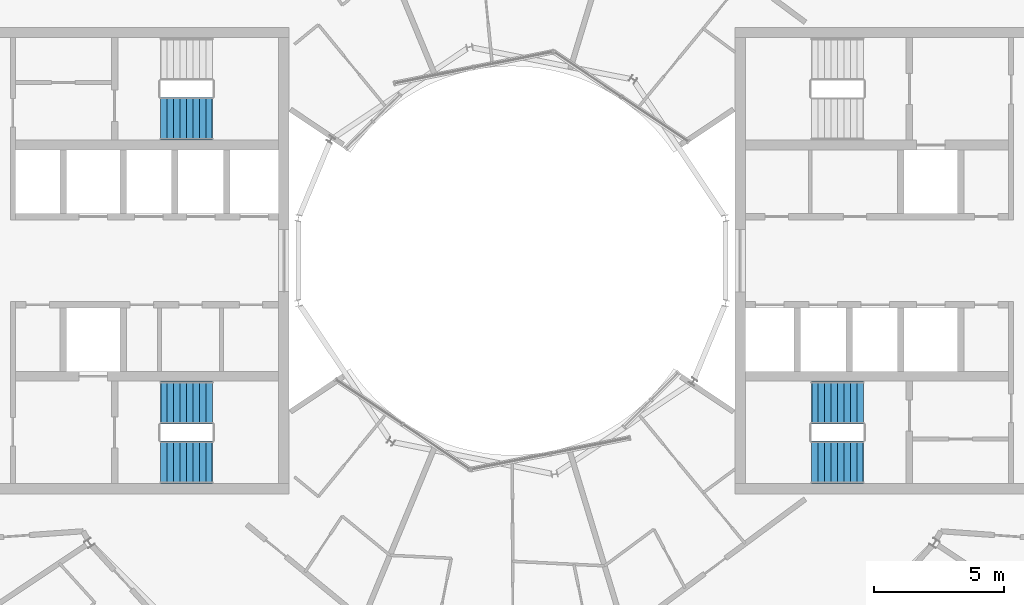
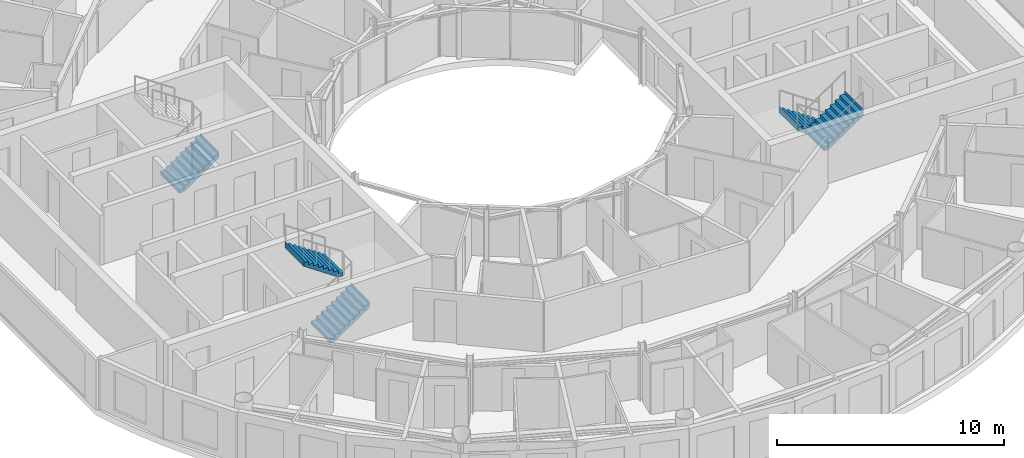
# One storey, part 20 of 22: 5 stair flights, 3 elements without a shape of their own.
"""IFC4 building model written with IfcOpenShell, lengths in metres."""

from ifc_helpers import new_model, si_unit, direction, frame, origin, place, context, subcontext, project, spatial, triangles, material, type_object, element, aggregate, save


model = new_model("IFC4")

# Units and contexts
model_context = context("Model", 3, precision=1e-05, world=origin(), true_north=direction((0.0, 1.0)))
body_context = subcontext(model_context, "Body", "Model", "MODEL_VIEW")
ifc_project = project(units=[si_unit("LENGTHUNIT", "METRE"), si_unit("AREAUNIT", "SQUARE_METRE"), si_unit("VOLUMEUNIT", "CUBIC_METRE"), si_unit("PLANEANGLEUNIT", "RADIAN"), si_unit("MASSUNIT", "GRAM", prefix="KILO")], contexts=[model_context])

# Site, building, storey
site_placement = place(None, origin())
site = spatial("IfcSite", under=ifc_project, at=site_placement, CompositionType="ELEMENT")
building_placement = place(site_placement, origin())
building = spatial("IfcBuilding", under=site, at=building_placement, Name="Maasbend Ring Residences", CompositionType="ELEMENT")
storey_placement = place(building_placement, frame((0.0, 0.0, 237.10009765625)))
storey = spatial("IfcBuildingStorey", under=building, at=storey_placement, Name="L68", CompositionType="ELEMENT", Elevation=237.10009765625)

# Stair, stair flights
ifc_material_1 = material(Name="Concrete C40/50", Category="concrete")
stair_type = type_object("IfcStairType", Name="CORE STAIR 18 RISERS", PredefinedType="HALF_TURN_STAIR", material=ifc_material_1)
stair_1_placement = place(storey_placement, origin())
stair_1 = element("IfcStair", 1, at=stair_1_placement, inside=storey, type_object=stair_type, Name="L68 Exit stair ST-E2", PredefinedType="HALF_TURN_STAIR")
ifc_material_2 = material(Name="Concrete C40/50", Category="concrete")
stair_flight_type = type_object("IfcStairFlightType", Name="CORE STAIR FLIGHT 1650", PredefinedType="STRAIGHT", material=ifc_material_2)
stair_flight_1_placement = place(storey_placement, frame((13.550048828125, -5.47509765625, 0.0), z_axis=(0.0, 0.0, 1.0), x_axis=(-1.0, 0.0, 0.0)))
stair_flight_1 = element("IfcStairFlight", 2, at=stair_flight_1_placement, type_object=stair_flight_type, Name="ST-E2 flight 1", NumberOfRisers=9, NumberOfTreads=8, PredefinedType="STRAIGHT", RiserHeight=0.169444444, TreadLength=0.25, context=body_context, shape_type="Tessellation", body=[
    triangles([(0.24072265625, 0.824951171875, -0.02001953125), (2.0029296875, 0.824951171875, 1.174560546875), (2.0029296875, 0.824951171875, 1.52490234375), (1.989990234375, 0.824951171875, 1.35546875), (1.75, 0.824951171875, 1.35546875), (1.75, 0.824951171875, 1.18603515625), (1.5, 0.824951171875, 1.18603515625), (1.5, 0.824951171875, 1.0166015625), (1.25, 0.824951171875, 1.0166015625), (1.25, 0.824951171875, 0.84716796875), (1.0, 0.824951171875, 0.84716796875), (1.0, 0.824951171875, 0.677734375), (0.75, 0.824951171875, 0.677734375), (0.75, 0.824951171875, 0.50830078125), (0.5, 0.824951171875, 0.50830078125), (0.5, 0.824951171875, 0.3388671875), (0.25, 0.824951171875, 0.3388671875), (0.25, 0.824951171875, 0.16943359375), (0.0, 0.824951171875, 0.16943359375), (0.0, 0.824951171875, 0.0), (-0.0029296875, 0.824951171875, 0.0), (-0.0029296875, 0.824951171875, -0.02001953125), (0.24072265625, 0.27490234375, -0.02001953125), (2.0029296875, 0.27490234375, 1.174560546875), (2.0029296875, 0.27490234375, 1.52490234375), (1.989990234375, 0.27490234375, 1.35546875), (1.75, 0.27490234375, 1.35546875), (1.75, 0.27490234375, 1.18603515625), (1.5, 0.27490234375, 1.18603515625), (1.5, 0.27490234375, 1.0166015625), (1.25, 0.27490234375, 1.0166015625), (1.25, 0.27490234375, 0.84716796875), (1.0, 0.27490234375, 0.84716796875), (1.0, 0.27490234375, 0.677734375), (0.75, 0.27490234375, 0.677734375), (0.75, 0.27490234375, 0.50830078125), (0.5, 0.27490234375, 0.50830078125), (0.5, 0.27490234375, 0.3388671875), (0.25, 0.27490234375, 0.3388671875), (0.25, 0.27490234375, 0.16943359375), (0.0, 0.27490234375, 0.16943359375), (0.0, 0.27490234375, 0.0), (-0.0029296875, 0.27490234375, 0.0), (-0.0029296875, 0.27490234375, -0.02001953125), (0.24072265625, -0.27490234375, -0.02001953125), (2.0029296875, -0.27490234375, 1.174560546875), (2.0029296875, -0.27490234375, 1.52490234375), (1.989990234375, -0.27490234375, 1.35546875), (1.75, -0.27490234375, 1.35546875), (1.75, -0.27490234375, 1.18603515625), (1.5, -0.27490234375, 1.18603515625), (1.5, -0.27490234375, 1.0166015625), (1.25, -0.27490234375, 1.0166015625), (1.25, -0.27490234375, 0.84716796875), (1.0, -0.27490234375, 0.84716796875), (1.0, -0.27490234375, 0.677734375), (0.75, -0.27490234375, 0.677734375), (0.75, -0.27490234375, 0.50830078125), (0.5, -0.27490234375, 0.50830078125), (0.5, -0.27490234375, 0.3388671875), (0.25, -0.27490234375, 0.3388671875), (0.25, -0.27490234375, 0.16943359375), (0.0, -0.27490234375, 0.16943359375), (0.0, -0.27490234375, 0.0), (-0.0029296875, -0.27490234375, 0.0), (-0.0029296875, -0.27490234375, -0.02001953125), (0.24072265625, -0.824951171875, -0.02001953125), (2.0029296875, -0.824951171875, 1.174560546875), (2.0029296875, -0.824951171875, 1.52490234375), (1.989990234375, -0.824951171875, 1.35546875), (1.75, -0.824951171875, 1.35546875), (1.75, -0.824951171875, 1.18603515625), (1.5, -0.824951171875, 1.18603515625), (1.5, -0.824951171875, 1.0166015625), (1.25, -0.824951171875, 1.0166015625), (1.25, -0.824951171875, 0.84716796875), (1.0, -0.824951171875, 0.84716796875), (1.0, -0.824951171875, 0.677734375), (0.75, -0.824951171875, 0.677734375), (0.75, -0.824951171875, 0.50830078125), (0.5, -0.824951171875, 0.50830078125), (0.5, -0.824951171875, 0.3388671875), (0.25, -0.824951171875, 0.3388671875), (0.25, -0.824951171875, 0.16943359375), (0.0, -0.824951171875, 0.16943359375), (0.0, -0.824951171875, 0.0), (-0.0029296875, -0.824951171875, 0.0), (-0.0029296875, -0.824951171875, -0.02001953125)], [[1, 2, 24], [1, 24, 23], [23, 24, 46], [23, 46, 45], [45, 46, 68], [45, 68, 67], [2, 3, 25], [2, 25, 24], [24, 25, 47], [24, 47, 46], [46, 47, 69], [46, 69, 68], [3, 4, 26], [3, 26, 25], [25, 26, 48], [25, 48, 47], [47, 48, 70], [47, 70, 69], [4, 5, 27], [4, 27, 26], [26, 27, 49], [26, 49, 48], [48, 49, 71], [48, 71, 70], [5, 6, 28], [5, 28, 27], [27, 28, 50], [27, 50, 49], [49, 50, 72], [49, 72, 71], [6, 7, 29], [6, 29, 28], [28, 29, 51], [28, 51, 50], [50, 51, 73], [50, 73, 72], [7, 8, 30], [7, 30, 29], [29, 30, 52], [29, 52, 51], [51, 52, 74], [51, 74, 73], [8, 9, 31], [8, 31, 30], [30, 31, 53], [30, 53, 52], [52, 53, 75], [52, 75, 74], [9, 10, 32], [9, 32, 31], [31, 32, 54], [31, 54, 53], [53, 54, 76], [53, 76, 75], [10, 11, 33], [10, 33, 32], [32, 33, 55], [32, 55, 54], [54, 55, 77], [54, 77, 76], [11, 12, 34], [11, 34, 33], [33, 34, 56], [33, 56, 55], [55, 56, 78], [55, 78, 77], [12, 13, 35], [12, 35, 34], [34, 35, 57], [34, 57, 56], [56, 57, 79], [56, 79, 78], [13, 14, 36], [13, 36, 35], [35, 36, 58], [35, 58, 57], [57, 58, 80], [57, 80, 79], [14, 15, 37], [14, 37, 36], [36, 37, 59], [36, 59, 58], [58, 59, 81], [58, 81, 80], [15, 16, 38], [15, 38, 37], [37, 38, 60], [37, 60, 59], [59, 60, 82], [59, 82, 81], [16, 17, 39], [16, 39, 38], [38, 39, 61], [38, 61, 60], [60, 61, 83], [60, 83, 82], [17, 18, 40], [17, 40, 39], [39, 40, 62], [39, 62, 61], [61, 62, 84], [61, 84, 83], [18, 19, 41], [18, 41, 40], [40, 41, 63], [40, 63, 62], [62, 63, 85], [62, 85, 84], [19, 20, 42], [19, 42, 41], [41, 42, 64], [41, 64, 63], [63, 64, 86], [63, 86, 85], [20, 21, 43], [20, 43, 42], [42, 43, 65], [42, 65, 64], [64, 65, 87], [64, 87, 86], [21, 22, 44], [21, 44, 43], [43, 44, 66], [43, 66, 65], [65, 66, 88], [65, 88, 87], [22, 1, 23], [22, 23, 44], [44, 23, 45], [44, 45, 66], [66, 45, 67], [66, 67, 88], [22, 2, 1], [2, 4, 3], [2, 5, 4], [2, 6, 5], [22, 6, 2], [6, 8, 7], [22, 8, 6], [8, 10, 9], [22, 10, 8], [10, 12, 11], [22, 12, 10], [12, 14, 13], [22, 14, 12], [14, 16, 15], [22, 16, 14], [16, 18, 17], [22, 18, 16], [18, 20, 19], [22, 20, 18], [20, 22, 21], [88, 67, 68], [68, 69, 70], [68, 70, 71], [68, 71, 72], [88, 68, 72], [72, 73, 74], [88, 72, 74], [74, 75, 76], [88, 74, 76], [76, 77, 78], [88, 76, 78], [78, 79, 80], [88, 78, 80], [80, 81, 82], [88, 80, 82], [82, 83, 84], [88, 82, 84], [84, 85, 86], [88, 84, 86], [86, 87, 88]], closed=True),
])
stair_flight_2_placement = place(storey_placement, frame((11.550048828125, -7.77490234375, 1.52490234375), z_axis=(0.0, 0.0, 1.0), x_axis=(1.0, 0.0, 0.0)))
stair_flight_2 = element("IfcStairFlight", 3, at=stair_flight_2_placement, type_object=stair_flight_type, Name="ST-E2 flight 2", NumberOfRisers=9, NumberOfTreads=8, PredefinedType="STRAIGHT", RiserHeight=0.169444444, TreadLength=0.25, context=body_context, shape_type="Tessellation", body=[
    triangles([(0.24072265625, 0.824951171875, -0.02001953125), (2.0029296875, 0.824951171875, 1.174560546875), (2.0029296875, 0.824951171875, 1.52490234375), (1.989990234375, 0.824951171875, 1.35546875), (1.75, 0.824951171875, 1.35546875), (1.75, 0.824951171875, 1.18603515625), (1.5, 0.824951171875, 1.18603515625), (1.5, 0.824951171875, 1.0166015625), (1.25, 0.824951171875, 1.0166015625), (1.25, 0.824951171875, 0.84716796875), (1.0, 0.824951171875, 0.84716796875), (1.0, 0.824951171875, 0.677734375), (0.75, 0.824951171875, 0.677734375), (0.75, 0.824951171875, 0.50830078125), (0.5, 0.824951171875, 0.50830078125), (0.5, 0.824951171875, 0.3388671875), (0.25, 0.824951171875, 0.3388671875), (0.25, 0.824951171875, 0.16943359375), (0.0, 0.824951171875, 0.16943359375), (0.0, 0.824951171875, 0.0), (-0.0029296875, 0.824951171875, 0.0), (-0.0029296875, 0.824951171875, -0.02001953125), (0.24072265625, 0.27490234375, -0.02001953125), (2.0029296875, 0.27490234375, 1.174560546875), (2.0029296875, 0.27490234375, 1.52490234375), (1.989990234375, 0.27490234375, 1.35546875), (1.75, 0.27490234375, 1.35546875), (1.75, 0.27490234375, 1.18603515625), (1.5, 0.27490234375, 1.18603515625), (1.5, 0.27490234375, 1.0166015625), (1.25, 0.27490234375, 1.0166015625), (1.25, 0.27490234375, 0.84716796875), (1.0, 0.27490234375, 0.84716796875), (1.0, 0.27490234375, 0.677734375), (0.75, 0.27490234375, 0.677734375), (0.75, 0.27490234375, 0.50830078125), (0.5, 0.27490234375, 0.50830078125), (0.5, 0.27490234375, 0.3388671875), (0.25, 0.27490234375, 0.3388671875), (0.25, 0.27490234375, 0.16943359375), (0.0, 0.27490234375, 0.16943359375), (0.0, 0.27490234375, 0.0), (-0.0029296875, 0.27490234375, 0.0), (-0.0029296875, 0.27490234375, -0.02001953125), (0.24072265625, -0.27490234375, -0.02001953125), (2.0029296875, -0.27490234375, 1.174560546875), (2.0029296875, -0.27490234375, 1.52490234375), (1.989990234375, -0.27490234375, 1.35546875), (1.75, -0.27490234375, 1.35546875), (1.75, -0.27490234375, 1.18603515625), (1.5, -0.27490234375, 1.18603515625), (1.5, -0.27490234375, 1.0166015625), (1.25, -0.27490234375, 1.0166015625), (1.25, -0.27490234375, 0.84716796875), (1.0, -0.27490234375, 0.84716796875), (1.0, -0.27490234375, 0.677734375), (0.75, -0.27490234375, 0.677734375), (0.75, -0.27490234375, 0.50830078125), (0.5, -0.27490234375, 0.50830078125), (0.5, -0.27490234375, 0.3388671875), (0.25, -0.27490234375, 0.3388671875), (0.25, -0.27490234375, 0.16943359375), (0.0, -0.27490234375, 0.16943359375), (0.0, -0.27490234375, 0.0), (-0.0029296875, -0.27490234375, 0.0), (-0.0029296875, -0.27490234375, -0.02001953125), (0.24072265625, -0.824951171875, -0.02001953125), (2.0029296875, -0.824951171875, 1.174560546875), (2.0029296875, -0.824951171875, 1.52490234375), (1.989990234375, -0.824951171875, 1.35546875), (1.75, -0.824951171875, 1.35546875), (1.75, -0.824951171875, 1.18603515625), (1.5, -0.824951171875, 1.18603515625), (1.5, -0.824951171875, 1.0166015625), (1.25, -0.824951171875, 1.0166015625), (1.25, -0.824951171875, 0.84716796875), (1.0, -0.824951171875, 0.84716796875), (1.0, -0.824951171875, 0.677734375), (0.75, -0.824951171875, 0.677734375), (0.75, -0.824951171875, 0.50830078125), (0.5, -0.824951171875, 0.50830078125), (0.5, -0.824951171875, 0.3388671875), (0.25, -0.824951171875, 0.3388671875), (0.25, -0.824951171875, 0.16943359375), (0.0, -0.824951171875, 0.16943359375), (0.0, -0.824951171875, 0.0), (-0.0029296875, -0.824951171875, 0.0), (-0.0029296875, -0.824951171875, -0.02001953125)], [[1, 2, 24], [1, 24, 23], [23, 24, 46], [23, 46, 45], [45, 46, 68], [45, 68, 67], [2, 3, 25], [2, 25, 24], [24, 25, 47], [24, 47, 46], [46, 47, 69], [46, 69, 68], [3, 4, 26], [3, 26, 25], [25, 26, 48], [25, 48, 47], [47, 48, 70], [47, 70, 69], [4, 5, 27], [4, 27, 26], [26, 27, 49], [26, 49, 48], [48, 49, 71], [48, 71, 70], [5, 6, 28], [5, 28, 27], [27, 28, 50], [27, 50, 49], [49, 50, 72], [49, 72, 71], [6, 7, 29], [6, 29, 28], [28, 29, 51], [28, 51, 50], [50, 51, 73], [50, 73, 72], [7, 8, 30], [7, 30, 29], [29, 30, 52], [29, 52, 51], [51, 52, 74], [51, 74, 73], [8, 9, 31], [8, 31, 30], [30, 31, 53], [30, 53, 52], [52, 53, 75], [52, 75, 74], [9, 10, 32], [9, 32, 31], [31, 32, 54], [31, 54, 53], [53, 54, 76], [53, 76, 75], [10, 11, 33], [10, 33, 32], [32, 33, 55], [32, 55, 54], [54, 55, 77], [54, 77, 76], [11, 12, 34], [11, 34, 33], [33, 34, 56], [33, 56, 55], [55, 56, 78], [55, 78, 77], [12, 13, 35], [12, 35, 34], [34, 35, 57], [34, 57, 56], [56, 57, 79], [56, 79, 78], [13, 14, 36], [13, 36, 35], [35, 36, 58], [35, 58, 57], [57, 58, 80], [57, 80, 79], [14, 15, 37], [14, 37, 36], [36, 37, 59], [36, 59, 58], [58, 59, 81], [58, 81, 80], [15, 16, 38], [15, 38, 37], [37, 38, 60], [37, 60, 59], [59, 60, 82], [59, 82, 81], [16, 17, 39], [16, 39, 38], [38, 39, 61], [38, 61, 60], [60, 61, 83], [60, 83, 82], [17, 18, 40], [17, 40, 39], [39, 40, 62], [39, 62, 61], [61, 62, 84], [61, 84, 83], [18, 19, 41], [18, 41, 40], [40, 41, 63], [40, 63, 62], [62, 63, 85], [62, 85, 84], [19, 20, 42], [19, 42, 41], [41, 42, 64], [41, 64, 63], [63, 64, 86], [63, 86, 85], [20, 21, 43], [20, 43, 42], [42, 43, 65], [42, 65, 64], [64, 65, 87], [64, 87, 86], [21, 22, 44], [21, 44, 43], [43, 44, 66], [43, 66, 65], [65, 66, 88], [65, 88, 87], [22, 1, 23], [22, 23, 44], [44, 23, 45], [44, 45, 66], [66, 45, 67], [66, 67, 88], [22, 2, 1], [2, 4, 3], [2, 5, 4], [2, 6, 5], [22, 6, 2], [6, 8, 7], [22, 8, 6], [8, 10, 9], [22, 10, 8], [10, 12, 11], [22, 12, 10], [12, 14, 13], [22, 14, 12], [14, 16, 15], [22, 16, 14], [16, 18, 17], [22, 18, 16], [18, 20, 19], [22, 20, 18], [20, 22, 21], [88, 67, 68], [68, 69, 70], [68, 70, 71], [68, 71, 72], [88, 68, 72], [72, 73, 74], [88, 72, 74], [74, 75, 76], [88, 74, 76], [76, 77, 78], [88, 76, 78], [78, 79, 80], [88, 78, 80], [80, 81, 82], [88, 80, 82], [82, 83, 84], [88, 82, 84], [84, 85, 86], [88, 84, 86], [86, 87, 88]], closed=True),
])
aggregate(stair_1, [stair_flight_1, stair_flight_2])

stair_2_placement = place(storey_placement, origin())
stair_2 = element("IfcStair", 4, at=stair_2_placement, inside=storey, type_object=stair_type, Name="L68 Exit stair ST-W1", PredefinedType="HALF_TURN_STAIR")
stair_flight_3_placement = place(storey_placement, frame((-13.550048828125, -7.77490234375, 0.0), z_axis=(0.0, 0.0, 1.0), x_axis=(1.0, 0.0, 0.0)))
stair_flight_3 = element("IfcStairFlight", 5, at=stair_flight_3_placement, type_object=stair_flight_type, Name="ST-W1 flight 1", NumberOfRisers=9, NumberOfTreads=8, PredefinedType="STRAIGHT", RiserHeight=0.169444444, TreadLength=0.25, context=body_context, shape_type="Tessellation", body=[
    triangles([(0.24072265625, 0.824951171875, -0.02001953125), (2.0029296875, 0.824951171875, 1.174560546875), (2.0029296875, 0.824951171875, 1.52490234375), (1.989990234375, 0.824951171875, 1.35546875), (1.75, 0.824951171875, 1.35546875), (1.75, 0.824951171875, 1.18603515625), (1.5, 0.824951171875, 1.18603515625), (1.5, 0.824951171875, 1.0166015625), (1.25, 0.824951171875, 1.0166015625), (1.25, 0.824951171875, 0.84716796875), (1.0, 0.824951171875, 0.84716796875), (1.0, 0.824951171875, 0.677734375), (0.75, 0.824951171875, 0.677734375), (0.75, 0.824951171875, 0.50830078125), (0.5, 0.824951171875, 0.50830078125), (0.5, 0.824951171875, 0.3388671875), (0.25, 0.824951171875, 0.3388671875), (0.25, 0.824951171875, 0.16943359375), (0.0, 0.824951171875, 0.16943359375), (0.0, 0.824951171875, 0.0), (-0.0029296875, 0.824951171875, 0.0), (-0.0029296875, 0.824951171875, -0.02001953125), (0.24072265625, 0.27490234375, -0.02001953125), (2.0029296875, 0.27490234375, 1.174560546875), (2.0029296875, 0.27490234375, 1.52490234375), (1.989990234375, 0.27490234375, 1.35546875), (1.75, 0.27490234375, 1.35546875), (1.75, 0.27490234375, 1.18603515625), (1.5, 0.27490234375, 1.18603515625), (1.5, 0.27490234375, 1.0166015625), (1.25, 0.27490234375, 1.0166015625), (1.25, 0.27490234375, 0.84716796875), (1.0, 0.27490234375, 0.84716796875), (1.0, 0.27490234375, 0.677734375), (0.75, 0.27490234375, 0.677734375), (0.75, 0.27490234375, 0.50830078125), (0.5, 0.27490234375, 0.50830078125), (0.5, 0.27490234375, 0.3388671875), (0.25, 0.27490234375, 0.3388671875), (0.25, 0.27490234375, 0.16943359375), (0.0, 0.27490234375, 0.16943359375), (0.0, 0.27490234375, 0.0), (-0.0029296875, 0.27490234375, 0.0), (-0.0029296875, 0.27490234375, -0.02001953125), (0.24072265625, -0.27490234375, -0.02001953125), (2.0029296875, -0.27490234375, 1.174560546875), (2.0029296875, -0.27490234375, 1.52490234375), (1.989990234375, -0.27490234375, 1.35546875), (1.75, -0.27490234375, 1.35546875), (1.75, -0.27490234375, 1.18603515625), (1.5, -0.27490234375, 1.18603515625), (1.5, -0.27490234375, 1.0166015625), (1.25, -0.27490234375, 1.0166015625), (1.25, -0.27490234375, 0.84716796875), (1.0, -0.27490234375, 0.84716796875), (1.0, -0.27490234375, 0.677734375), (0.75, -0.27490234375, 0.677734375), (0.75, -0.27490234375, 0.50830078125), (0.5, -0.27490234375, 0.50830078125), (0.5, -0.27490234375, 0.3388671875), (0.25, -0.27490234375, 0.3388671875), (0.25, -0.27490234375, 0.16943359375), (0.0, -0.27490234375, 0.16943359375), (0.0, -0.27490234375, 0.0), (-0.0029296875, -0.27490234375, 0.0), (-0.0029296875, -0.27490234375, -0.02001953125), (0.24072265625, -0.824951171875, -0.02001953125), (2.0029296875, -0.824951171875, 1.174560546875), (2.0029296875, -0.824951171875, 1.52490234375), (1.989990234375, -0.824951171875, 1.35546875), (1.75, -0.824951171875, 1.35546875), (1.75, -0.824951171875, 1.18603515625), (1.5, -0.824951171875, 1.18603515625), (1.5, -0.824951171875, 1.0166015625), (1.25, -0.824951171875, 1.0166015625), (1.25, -0.824951171875, 0.84716796875), (1.0, -0.824951171875, 0.84716796875), (1.0, -0.824951171875, 0.677734375), (0.75, -0.824951171875, 0.677734375), (0.75, -0.824951171875, 0.50830078125), (0.5, -0.824951171875, 0.50830078125), (0.5, -0.824951171875, 0.3388671875), (0.25, -0.824951171875, 0.3388671875), (0.25, -0.824951171875, 0.16943359375), (0.0, -0.824951171875, 0.16943359375), (0.0, -0.824951171875, 0.0), (-0.0029296875, -0.824951171875, 0.0), (-0.0029296875, -0.824951171875, -0.02001953125)], [[1, 2, 24], [1, 24, 23], [23, 24, 46], [23, 46, 45], [45, 46, 68], [45, 68, 67], [2, 3, 25], [2, 25, 24], [24, 25, 47], [24, 47, 46], [46, 47, 69], [46, 69, 68], [3, 4, 26], [3, 26, 25], [25, 26, 48], [25, 48, 47], [47, 48, 70], [47, 70, 69], [4, 5, 27], [4, 27, 26], [26, 27, 49], [26, 49, 48], [48, 49, 71], [48, 71, 70], [5, 6, 28], [5, 28, 27], [27, 28, 50], [27, 50, 49], [49, 50, 72], [49, 72, 71], [6, 7, 29], [6, 29, 28], [28, 29, 51], [28, 51, 50], [50, 51, 73], [50, 73, 72], [7, 8, 30], [7, 30, 29], [29, 30, 52], [29, 52, 51], [51, 52, 74], [51, 74, 73], [8, 9, 31], [8, 31, 30], [30, 31, 53], [30, 53, 52], [52, 53, 75], [52, 75, 74], [9, 10, 32], [9, 32, 31], [31, 32, 54], [31, 54, 53], [53, 54, 76], [53, 76, 75], [10, 11, 33], [10, 33, 32], [32, 33, 55], [32, 55, 54], [54, 55, 77], [54, 77, 76], [11, 12, 34], [11, 34, 33], [33, 34, 56], [33, 56, 55], [55, 56, 78], [55, 78, 77], [12, 13, 35], [12, 35, 34], [34, 35, 57], [34, 57, 56], [56, 57, 79], [56, 79, 78], [13, 14, 36], [13, 36, 35], [35, 36, 58], [35, 58, 57], [57, 58, 80], [57, 80, 79], [14, 15, 37], [14, 37, 36], [36, 37, 59], [36, 59, 58], [58, 59, 81], [58, 81, 80], [15, 16, 38], [15, 38, 37], [37, 38, 60], [37, 60, 59], [59, 60, 82], [59, 82, 81], [16, 17, 39], [16, 39, 38], [38, 39, 61], [38, 61, 60], [60, 61, 83], [60, 83, 82], [17, 18, 40], [17, 40, 39], [39, 40, 62], [39, 62, 61], [61, 62, 84], [61, 84, 83], [18, 19, 41], [18, 41, 40], [40, 41, 63], [40, 63, 62], [62, 63, 85], [62, 85, 84], [19, 20, 42], [19, 42, 41], [41, 42, 64], [41, 64, 63], [63, 64, 86], [63, 86, 85], [20, 21, 43], [20, 43, 42], [42, 43, 65], [42, 65, 64], [64, 65, 87], [64, 87, 86], [21, 22, 44], [21, 44, 43], [43, 44, 66], [43, 66, 65], [65, 66, 88], [65, 88, 87], [22, 1, 23], [22, 23, 44], [44, 23, 45], [44, 45, 66], [66, 45, 67], [66, 67, 88], [22, 2, 1], [2, 4, 3], [2, 5, 4], [2, 6, 5], [22, 6, 2], [6, 8, 7], [22, 8, 6], [8, 10, 9], [22, 10, 8], [10, 12, 11], [22, 12, 10], [12, 14, 13], [22, 14, 12], [14, 16, 15], [22, 16, 14], [16, 18, 17], [22, 18, 16], [18, 20, 19], [22, 20, 18], [20, 22, 21], [88, 67, 68], [68, 69, 70], [68, 70, 71], [68, 71, 72], [88, 68, 72], [72, 73, 74], [88, 72, 74], [74, 75, 76], [88, 74, 76], [76, 77, 78], [88, 76, 78], [78, 79, 80], [88, 78, 80], [80, 81, 82], [88, 80, 82], [82, 83, 84], [88, 82, 84], [84, 85, 86], [88, 84, 86], [86, 87, 88]], closed=True),
])
stair_flight_4_placement = place(storey_placement, frame((-11.550048828125, -5.47509765625, 1.52490234375), z_axis=(0.0, 0.0, 1.0), x_axis=(-1.0, 0.0, 0.0)))
stair_flight_4 = element("IfcStairFlight", 6, at=stair_flight_4_placement, type_object=stair_flight_type, Name="ST-W1 flight 2", NumberOfRisers=9, NumberOfTreads=8, PredefinedType="STRAIGHT", RiserHeight=0.169444444, TreadLength=0.25, context=body_context, shape_type="Tessellation", body=[
    triangles([(0.24072265625, 0.824951171875, -0.02001953125), (2.0029296875, 0.824951171875, 1.174560546875), (2.0029296875, 0.824951171875, 1.52490234375), (1.989990234375, 0.824951171875, 1.35546875), (1.75, 0.824951171875, 1.35546875), (1.75, 0.824951171875, 1.18603515625), (1.5, 0.824951171875, 1.18603515625), (1.5, 0.824951171875, 1.0166015625), (1.25, 0.824951171875, 1.0166015625), (1.25, 0.824951171875, 0.84716796875), (1.0, 0.824951171875, 0.84716796875), (1.0, 0.824951171875, 0.677734375), (0.75, 0.824951171875, 0.677734375), (0.75, 0.824951171875, 0.50830078125), (0.5, 0.824951171875, 0.50830078125), (0.5, 0.824951171875, 0.3388671875), (0.25, 0.824951171875, 0.3388671875), (0.25, 0.824951171875, 0.16943359375), (0.0, 0.824951171875, 0.16943359375), (0.0, 0.824951171875, 0.0), (-0.0029296875, 0.824951171875, 0.0), (-0.0029296875, 0.824951171875, -0.02001953125), (0.24072265625, 0.27490234375, -0.02001953125), (2.0029296875, 0.27490234375, 1.174560546875), (2.0029296875, 0.27490234375, 1.52490234375), (1.989990234375, 0.27490234375, 1.35546875), (1.75, 0.27490234375, 1.35546875), (1.75, 0.27490234375, 1.18603515625), (1.5, 0.27490234375, 1.18603515625), (1.5, 0.27490234375, 1.0166015625), (1.25, 0.27490234375, 1.0166015625), (1.25, 0.27490234375, 0.84716796875), (1.0, 0.27490234375, 0.84716796875), (1.0, 0.27490234375, 0.677734375), (0.75, 0.27490234375, 0.677734375), (0.75, 0.27490234375, 0.50830078125), (0.5, 0.27490234375, 0.50830078125), (0.5, 0.27490234375, 0.3388671875), (0.25, 0.27490234375, 0.3388671875), (0.25, 0.27490234375, 0.16943359375), (0.0, 0.27490234375, 0.16943359375), (0.0, 0.27490234375, 0.0), (-0.0029296875, 0.27490234375, 0.0), (-0.0029296875, 0.27490234375, -0.02001953125), (0.24072265625, -0.27490234375, -0.02001953125), (2.0029296875, -0.27490234375, 1.174560546875), (2.0029296875, -0.27490234375, 1.52490234375), (1.989990234375, -0.27490234375, 1.35546875), (1.75, -0.27490234375, 1.35546875), (1.75, -0.27490234375, 1.18603515625), (1.5, -0.27490234375, 1.18603515625), (1.5, -0.27490234375, 1.0166015625), (1.25, -0.27490234375, 1.0166015625), (1.25, -0.27490234375, 0.84716796875), (1.0, -0.27490234375, 0.84716796875), (1.0, -0.27490234375, 0.677734375), (0.75, -0.27490234375, 0.677734375), (0.75, -0.27490234375, 0.50830078125), (0.5, -0.27490234375, 0.50830078125), (0.5, -0.27490234375, 0.3388671875), (0.25, -0.27490234375, 0.3388671875), (0.25, -0.27490234375, 0.16943359375), (0.0, -0.27490234375, 0.16943359375), (0.0, -0.27490234375, 0.0), (-0.0029296875, -0.27490234375, 0.0), (-0.0029296875, -0.27490234375, -0.02001953125), (0.24072265625, -0.824951171875, -0.02001953125), (2.0029296875, -0.824951171875, 1.174560546875), (2.0029296875, -0.824951171875, 1.52490234375), (1.989990234375, -0.824951171875, 1.35546875), (1.75, -0.824951171875, 1.35546875), (1.75, -0.824951171875, 1.18603515625), (1.5, -0.824951171875, 1.18603515625), (1.5, -0.824951171875, 1.0166015625), (1.25, -0.824951171875, 1.0166015625), (1.25, -0.824951171875, 0.84716796875), (1.0, -0.824951171875, 0.84716796875), (1.0, -0.824951171875, 0.677734375), (0.75, -0.824951171875, 0.677734375), (0.75, -0.824951171875, 0.50830078125), (0.5, -0.824951171875, 0.50830078125), (0.5, -0.824951171875, 0.3388671875), (0.25, -0.824951171875, 0.3388671875), (0.25, -0.824951171875, 0.16943359375), (0.0, -0.824951171875, 0.16943359375), (0.0, -0.824951171875, 0.0), (-0.0029296875, -0.824951171875, 0.0), (-0.0029296875, -0.824951171875, -0.02001953125)], [[1, 2, 24], [1, 24, 23], [23, 24, 46], [23, 46, 45], [45, 46, 68], [45, 68, 67], [2, 3, 25], [2, 25, 24], [24, 25, 47], [24, 47, 46], [46, 47, 69], [46, 69, 68], [3, 4, 26], [3, 26, 25], [25, 26, 48], [25, 48, 47], [47, 48, 70], [47, 70, 69], [4, 5, 27], [4, 27, 26], [26, 27, 49], [26, 49, 48], [48, 49, 71], [48, 71, 70], [5, 6, 28], [5, 28, 27], [27, 28, 50], [27, 50, 49], [49, 50, 72], [49, 72, 71], [6, 7, 29], [6, 29, 28], [28, 29, 51], [28, 51, 50], [50, 51, 73], [50, 73, 72], [7, 8, 30], [7, 30, 29], [29, 30, 52], [29, 52, 51], [51, 52, 74], [51, 74, 73], [8, 9, 31], [8, 31, 30], [30, 31, 53], [30, 53, 52], [52, 53, 75], [52, 75, 74], [9, 10, 32], [9, 32, 31], [31, 32, 54], [31, 54, 53], [53, 54, 76], [53, 76, 75], [10, 11, 33], [10, 33, 32], [32, 33, 55], [32, 55, 54], [54, 55, 77], [54, 77, 76], [11, 12, 34], [11, 34, 33], [33, 34, 56], [33, 56, 55], [55, 56, 78], [55, 78, 77], [12, 13, 35], [12, 35, 34], [34, 35, 57], [34, 57, 56], [56, 57, 79], [56, 79, 78], [13, 14, 36], [13, 36, 35], [35, 36, 58], [35, 58, 57], [57, 58, 80], [57, 80, 79], [14, 15, 37], [14, 37, 36], [36, 37, 59], [36, 59, 58], [58, 59, 81], [58, 81, 80], [15, 16, 38], [15, 38, 37], [37, 38, 60], [37, 60, 59], [59, 60, 82], [59, 82, 81], [16, 17, 39], [16, 39, 38], [38, 39, 61], [38, 61, 60], [60, 61, 83], [60, 83, 82], [17, 18, 40], [17, 40, 39], [39, 40, 62], [39, 62, 61], [61, 62, 84], [61, 84, 83], [18, 19, 41], [18, 41, 40], [40, 41, 63], [40, 63, 62], [62, 63, 85], [62, 85, 84], [19, 20, 42], [19, 42, 41], [41, 42, 64], [41, 64, 63], [63, 64, 86], [63, 86, 85], [20, 21, 43], [20, 43, 42], [42, 43, 65], [42, 65, 64], [64, 65, 87], [64, 87, 86], [21, 22, 44], [21, 44, 43], [43, 44, 66], [43, 66, 65], [65, 66, 88], [65, 88, 87], [22, 1, 23], [22, 23, 44], [44, 23, 45], [44, 45, 66], [66, 45, 67], [66, 67, 88], [22, 2, 1], [2, 4, 3], [2, 5, 4], [2, 6, 5], [22, 6, 2], [6, 8, 7], [22, 8, 6], [8, 10, 9], [22, 10, 8], [10, 12, 11], [22, 12, 10], [12, 14, 13], [22, 14, 12], [14, 16, 15], [22, 16, 14], [16, 18, 17], [22, 18, 16], [18, 20, 19], [22, 20, 18], [20, 22, 21], [88, 67, 68], [68, 69, 70], [68, 70, 71], [68, 71, 72], [88, 68, 72], [72, 73, 74], [88, 72, 74], [74, 75, 76], [88, 74, 76], [76, 77, 78], [88, 76, 78], [78, 79, 80], [88, 78, 80], [80, 81, 82], [88, 80, 82], [82, 83, 84], [88, 82, 84], [84, 85, 86], [88, 84, 86], [86, 87, 88]], closed=True),
])
aggregate(stair_2, [stair_flight_3, stair_flight_4])

# Stair, stair flight
stair_3_placement = place(storey_placement, origin())
stair_3 = element("IfcStair", 7, at=stair_3_placement, inside=storey, type_object=stair_type, Name="L68 Exit stair ST-W2", PredefinedType="HALF_TURN_STAIR")
stair_flight_5_placement = place(storey_placement, frame((-13.550048828125, 5.47509765625, 0.0), z_axis=(0.0, 0.0, 1.0), x_axis=(1.0, 0.0, 0.0)))
stair_flight_5 = element("IfcStairFlight", 8, at=stair_flight_5_placement, type_object=stair_flight_type, Name="ST-W2 flight 1", NumberOfRisers=9, NumberOfTreads=8, PredefinedType="STRAIGHT", RiserHeight=0.169444444, TreadLength=0.25, context=body_context, shape_type="Tessellation", body=[
    triangles([(0.24072265625, 0.824951171875, -0.02001953125), (2.0029296875, 0.824951171875, 1.174560546875), (2.0029296875, 0.824951171875, 1.52490234375), (1.989990234375, 0.824951171875, 1.35546875), (1.75, 0.824951171875, 1.35546875), (1.75, 0.824951171875, 1.18603515625), (1.5, 0.824951171875, 1.18603515625), (1.5, 0.824951171875, 1.0166015625), (1.25, 0.824951171875, 1.0166015625), (1.25, 0.824951171875, 0.84716796875), (1.0, 0.824951171875, 0.84716796875), (1.0, 0.824951171875, 0.677734375), (0.75, 0.824951171875, 0.677734375), (0.75, 0.824951171875, 0.50830078125), (0.5, 0.824951171875, 0.50830078125), (0.5, 0.824951171875, 0.3388671875), (0.25, 0.824951171875, 0.3388671875), (0.25, 0.824951171875, 0.16943359375), (0.0, 0.824951171875, 0.16943359375), (0.0, 0.824951171875, 0.0), (-0.0029296875, 0.824951171875, 0.0), (-0.0029296875, 0.824951171875, -0.02001953125), (0.24072265625, 0.27490234375, -0.02001953125), (2.0029296875, 0.27490234375, 1.174560546875), (2.0029296875, 0.27490234375, 1.52490234375), (1.989990234375, 0.27490234375, 1.35546875), (1.75, 0.27490234375, 1.35546875), (1.75, 0.27490234375, 1.18603515625), (1.5, 0.27490234375, 1.18603515625), (1.5, 0.27490234375, 1.0166015625), (1.25, 0.27490234375, 1.0166015625), (1.25, 0.27490234375, 0.84716796875), (1.0, 0.27490234375, 0.84716796875), (1.0, 0.27490234375, 0.677734375), (0.75, 0.27490234375, 0.677734375), (0.75, 0.27490234375, 0.50830078125), (0.5, 0.27490234375, 0.50830078125), (0.5, 0.27490234375, 0.3388671875), (0.25, 0.27490234375, 0.3388671875), (0.25, 0.27490234375, 0.16943359375), (0.0, 0.27490234375, 0.16943359375), (0.0, 0.27490234375, 0.0), (-0.0029296875, 0.27490234375, 0.0), (-0.0029296875, 0.27490234375, -0.02001953125), (0.24072265625, -0.27490234375, -0.02001953125), (2.0029296875, -0.27490234375, 1.174560546875), (2.0029296875, -0.27490234375, 1.52490234375), (1.989990234375, -0.27490234375, 1.35546875), (1.75, -0.27490234375, 1.35546875), (1.75, -0.27490234375, 1.18603515625), (1.5, -0.27490234375, 1.18603515625), (1.5, -0.27490234375, 1.0166015625), (1.25, -0.27490234375, 1.0166015625), (1.25, -0.27490234375, 0.84716796875), (1.0, -0.27490234375, 0.84716796875), (1.0, -0.27490234375, 0.677734375), (0.75, -0.27490234375, 0.677734375), (0.75, -0.27490234375, 0.50830078125), (0.5, -0.27490234375, 0.50830078125), (0.5, -0.27490234375, 0.3388671875), (0.25, -0.27490234375, 0.3388671875), (0.25, -0.27490234375, 0.16943359375), (0.0, -0.27490234375, 0.16943359375), (0.0, -0.27490234375, 0.0), (-0.0029296875, -0.27490234375, 0.0), (-0.0029296875, -0.27490234375, -0.02001953125), (0.24072265625, -0.824951171875, -0.02001953125), (2.0029296875, -0.824951171875, 1.174560546875), (2.0029296875, -0.824951171875, 1.52490234375), (1.989990234375, -0.824951171875, 1.35546875), (1.75, -0.824951171875, 1.35546875), (1.75, -0.824951171875, 1.18603515625), (1.5, -0.824951171875, 1.18603515625), (1.5, -0.824951171875, 1.0166015625), (1.25, -0.824951171875, 1.0166015625), (1.25, -0.824951171875, 0.84716796875), (1.0, -0.824951171875, 0.84716796875), (1.0, -0.824951171875, 0.677734375), (0.75, -0.824951171875, 0.677734375), (0.75, -0.824951171875, 0.50830078125), (0.5, -0.824951171875, 0.50830078125), (0.5, -0.824951171875, 0.3388671875), (0.25, -0.824951171875, 0.3388671875), (0.25, -0.824951171875, 0.16943359375), (0.0, -0.824951171875, 0.16943359375), (0.0, -0.824951171875, 0.0), (-0.0029296875, -0.824951171875, 0.0), (-0.0029296875, -0.824951171875, -0.02001953125)], [[1, 2, 24], [1, 24, 23], [23, 24, 46], [23, 46, 45], [45, 46, 68], [45, 68, 67], [2, 3, 25], [2, 25, 24], [24, 25, 47], [24, 47, 46], [46, 47, 69], [46, 69, 68], [3, 4, 26], [3, 26, 25], [25, 26, 48], [25, 48, 47], [47, 48, 70], [47, 70, 69], [4, 5, 27], [4, 27, 26], [26, 27, 49], [26, 49, 48], [48, 49, 71], [48, 71, 70], [5, 6, 28], [5, 28, 27], [27, 28, 50], [27, 50, 49], [49, 50, 72], [49, 72, 71], [6, 7, 29], [6, 29, 28], [28, 29, 51], [28, 51, 50], [50, 51, 73], [50, 73, 72], [7, 8, 30], [7, 30, 29], [29, 30, 52], [29, 52, 51], [51, 52, 74], [51, 74, 73], [8, 9, 31], [8, 31, 30], [30, 31, 53], [30, 53, 52], [52, 53, 75], [52, 75, 74], [9, 10, 32], [9, 32, 31], [31, 32, 54], [31, 54, 53], [53, 54, 76], [53, 76, 75], [10, 11, 33], [10, 33, 32], [32, 33, 55], [32, 55, 54], [54, 55, 77], [54, 77, 76], [11, 12, 34], [11, 34, 33], [33, 34, 56], [33, 56, 55], [55, 56, 78], [55, 78, 77], [12, 13, 35], [12, 35, 34], [34, 35, 57], [34, 57, 56], [56, 57, 79], [56, 79, 78], [13, 14, 36], [13, 36, 35], [35, 36, 58], [35, 58, 57], [57, 58, 80], [57, 80, 79], [14, 15, 37], [14, 37, 36], [36, 37, 59], [36, 59, 58], [58, 59, 81], [58, 81, 80], [15, 16, 38], [15, 38, 37], [37, 38, 60], [37, 60, 59], [59, 60, 82], [59, 82, 81], [16, 17, 39], [16, 39, 38], [38, 39, 61], [38, 61, 60], [60, 61, 83], [60, 83, 82], [17, 18, 40], [17, 40, 39], [39, 40, 62], [39, 62, 61], [61, 62, 84], [61, 84, 83], [18, 19, 41], [18, 41, 40], [40, 41, 63], [40, 63, 62], [62, 63, 85], [62, 85, 84], [19, 20, 42], [19, 42, 41], [41, 42, 64], [41, 64, 63], [63, 64, 86], [63, 86, 85], [20, 21, 43], [20, 43, 42], [42, 43, 65], [42, 65, 64], [64, 65, 87], [64, 87, 86], [21, 22, 44], [21, 44, 43], [43, 44, 66], [43, 66, 65], [65, 66, 88], [65, 88, 87], [22, 1, 23], [22, 23, 44], [44, 23, 45], [44, 45, 66], [66, 45, 67], [66, 67, 88], [22, 2, 1], [2, 4, 3], [2, 5, 4], [2, 6, 5], [22, 6, 2], [6, 8, 7], [22, 8, 6], [8, 10, 9], [22, 10, 8], [10, 12, 11], [22, 12, 10], [12, 14, 13], [22, 14, 12], [14, 16, 15], [22, 16, 14], [16, 18, 17], [22, 18, 16], [18, 20, 19], [22, 20, 18], [20, 22, 21], [88, 67, 68], [68, 69, 70], [68, 70, 71], [68, 71, 72], [88, 68, 72], [72, 73, 74], [88, 72, 74], [74, 75, 76], [88, 74, 76], [76, 77, 78], [88, 76, 78], [78, 79, 80], [88, 78, 80], [80, 81, 82], [88, 80, 82], [82, 83, 84], [88, 82, 84], [84, 85, 86], [88, 84, 86], [86, 87, 88]], closed=True),
])
aggregate(stair_3, [stair_flight_5])

save(model, "model.ifc")
